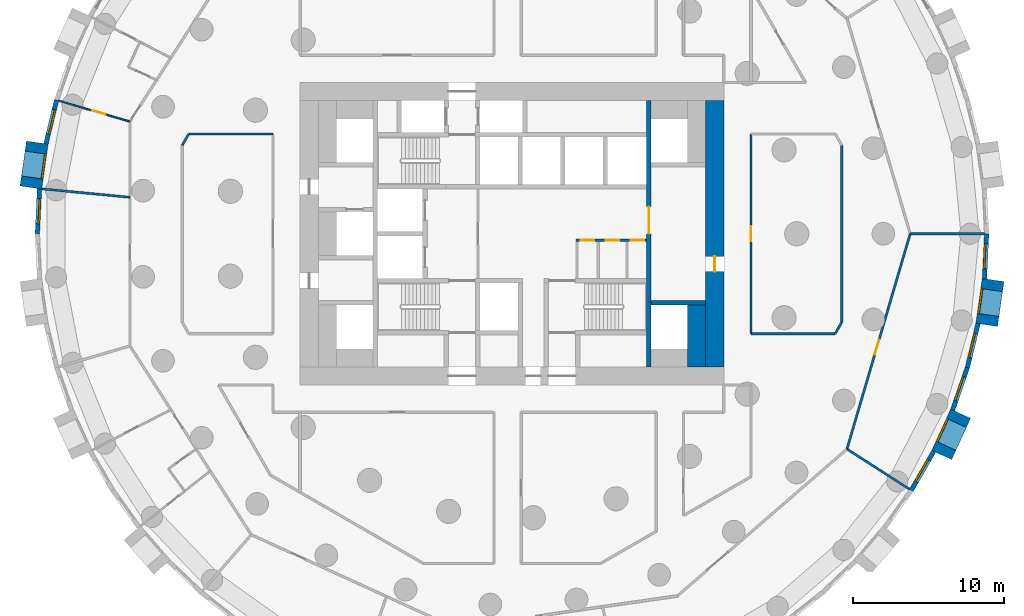
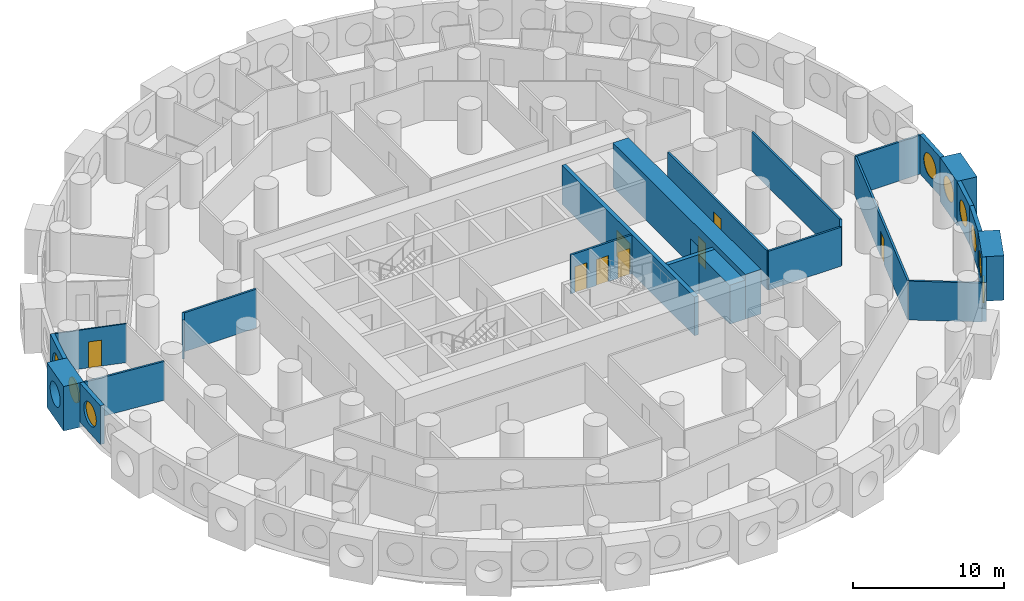
# One storey, part 6 of 12: 25 walls, 9 windows, 8 doors, 17 openings.
"""IFC4 building model written with IfcOpenShell, lengths in metres."""

from ifc_helpers import new_model, si_unit, direction, frame, frame_2d, origin, origin_2d, place, context, subcontext, project, spatial, rectangle, circle, extrude, material, layer, layer_set, type_object, element, fill, save


model = new_model("IFC4")

# Units and contexts
model_context = context("Model", 3, precision=1e-05, world=origin(), true_north=direction((0.0, 1.0)))
body_context = subcontext(model_context, "Body", "Model", "MODEL_VIEW")
ifc_project = project(units=[si_unit("LENGTHUNIT", "METRE"), si_unit("AREAUNIT", "SQUARE_METRE"), si_unit("VOLUMEUNIT", "CUBIC_METRE"), si_unit("PLANEANGLEUNIT", "RADIAN"), si_unit("MASSUNIT", "GRAM", prefix="KILO")], contexts=[model_context])

# Site, building, storey
site_placement = place(None, origin())
site = spatial("IfcSite", under=ifc_project, at=site_placement, CompositionType="ELEMENT")
building_placement = place(site_placement, origin())
building = spatial("IfcBuilding", under=site, at=building_placement, Name="Tracery Tower", CompositionType="ELEMENT")
storey_placement = place(building_placement, frame((0.0, 0.0, 49.800048828125)))
storey = spatial("IfcBuildingStorey", under=building, at=storey_placement, Name="L11", CompositionType="ELEMENT", Elevation=49.800048828125)

# Wall, openings, doors
ifc_material_1 = material(Name="Plasterboard on steel studs", Category="steel")
ifc_layer_1 = layer(ifc_material_1, 0.14990234375)
ifc_layer_set_1 = layer_set([ifc_layer_1], Name="Core room partition 150")
wall_type_1 = type_object("IfcWallType", Name="Core room partition 150", PredefinedType="SOLIDWALL", material=ifc_layer_set_1)
wall_1_placement = place(storey_placement, frame((4.22509765625, -0.425048828125, 0.0), z_axis=(0.0, 0.0, 1.0), x_axis=(1.0, 0.0, 0.0)))
wall_1 = element("IfcWall", 1, at=wall_1_placement, inside=storey, type_object=wall_type_1, Name="L11 slot N", PredefinedType="SOLIDWALL", context=body_context, shape_type="SweptSolid", body=[
    extrude(rectangle(XDim=4.6748046875, YDim=0.14990234375, at=frame_2d((2.33740234375, 0.0))), origin(), (0.0, 0.0, 1.0), 3.14990234375),
])
opening_1_placement = place(wall_1_placement, frame((0.324951171875, 0.0, 0.0)))
opening_1 = element("IfcOpeningElement", 2, at=opening_1_placement, cuts=wall_1, Name="Opening KD27", PredefinedType="OPENING", context=body_context, shape_type="SweptSolid", body=[
    extrude(rectangle(XDim=0.89990234375, YDim=2.10009765625, at=frame_2d((0.449951171875, 1.050048828125))), frame((0.0, 0.074951171875, 0.0), z_axis=(0.0, -1.0, 0.0), x_axis=(1.0, 0.0, 0.0)), (0.0, 0.0, 1.0), 0.14990234375),
])
opening_2_placement = place(wall_1_placement, frame((1.97509765625, 0.0, 0.0)))
opening_2 = element("IfcOpeningElement", 3, at=opening_2_placement, cuts=wall_1, Name="Opening KD21", PredefinedType="OPENING", context=body_context, shape_type="SweptSolid", body=[
    extrude(rectangle(XDim=0.89990234375, YDim=2.10009765625, at=frame_2d((0.449951171875, 1.050048828125))), frame((0.0, 0.074951171875, 0.0), z_axis=(0.0, -1.0, 0.0), x_axis=(1.0, 0.0, 0.0)), (0.0, 0.0, 1.0), 0.14990234375),
])
opening_3_placement = place(wall_1_placement, frame((3.612548828125, 0.0, 0.0)))
opening_3 = element("IfcOpeningElement", 4, at=opening_3_placement, cuts=wall_1, Name="Opening KD27", PredefinedType="OPENING", context=body_context, shape_type="SweptSolid", body=[
    extrude(rectangle(XDim=0.89990234375, YDim=2.10009765625, at=frame_2d((0.449951171875, 1.050048828125))), frame((0.0, 0.074951171875, 0.0), z_axis=(0.0, -1.0, 0.0), x_axis=(1.0, 0.0, 0.0)), (0.0, 0.0, 1.0), 0.14990234375),
])
ifc_material_2 = material(Name="Timber door leaf", Category="wood")
door_type_1 = type_object("IfcDoorType", Name="Core WC door 900", OperationType="NOTDEFINED", PredefinedType="DOOR", material=ifc_material_2)
door_1_placement = place(opening_2_placement, origin())
door_1 = element("IfcDoor", 5, at=door_1_placement, inside=storey, type_object=door_type_1, Name="Core door", OperationType="SINGLE_SWING_LEFT", OverallHeight=2.10009765625, OverallWidth=0.89990234375, PredefinedType="DOOR", context=body_context, shape_type="SweptSolid", body=[
    extrude(rectangle(XDim=0.89990234375, YDim=2.10009765625, at=frame_2d((0.449951171875, 1.050048828125))), frame((0.0, 0.02490234375, 0.0), z_axis=(0.0, -1.0, 0.0), x_axis=(1.0, 0.0, 0.0)), (0.0, 0.0, 1.0), 0.050048828125),
])
fill(opening_2, door_1)
ifc_material_3 = material(Name="Timber door leaf", Category="wood")
door_type_2 = type_object("IfcDoorType", Name="Core store door 900", OperationType="NOTDEFINED", PredefinedType="DOOR", material=ifc_material_3)
door_2_placement = place(opening_1_placement, origin())
door_2 = element("IfcDoor", 6, at=door_2_placement, inside=storey, type_object=door_type_2, Name="Core door", OperationType="SINGLE_SWING_RIGHT", OverallHeight=2.10009765625, OverallWidth=0.89990234375, PredefinedType="DOOR", context=body_context, shape_type="SweptSolid", body=[
    extrude(rectangle(XDim=0.89990234375, YDim=2.10009765625, at=frame_2d((0.449951171875, 1.050048828125))), frame((0.0, 0.02490234375, 0.0), z_axis=(0.0, -1.0, 0.0), x_axis=(1.0, 0.0, 0.0)), (0.0, 0.0, 1.0), 0.050048828125),
])
fill(opening_1, door_2)
door_3_placement = place(opening_3_placement, origin())
door_3 = element("IfcDoor", 7, at=door_3_placement, inside=storey, type_object=door_type_2, Name="Core door", OperationType="SINGLE_SWING_RIGHT", OverallHeight=2.10009765625, OverallWidth=0.89990234375, PredefinedType="DOOR", context=body_context, shape_type="SweptSolid", body=[
    extrude(rectangle(XDim=0.89990234375, YDim=2.10009765625, at=frame_2d((0.449951171875, 1.050048828125))), frame((0.0, 0.02490234375, 0.0), z_axis=(0.0, -1.0, 0.0), x_axis=(1.0, 0.0, 0.0)), (0.0, 0.0, 1.0), 0.050048828125),
])
fill(opening_3, door_3)

# Wall
ifc_material_4 = material(Name="Concrete C60/75", Category="concrete")
ifc_layer_2 = layer(ifc_material_4, 1.199951171875)
ifc_layer_set_2 = layer_set([ifc_layer_2], Name="Core strip wall 1200 C60")
wall_type_2 = type_object("IfcWallType", Name="Core strip wall 1200 C60", PredefinedType="SOLIDWALL", material=ifc_layer_set_2)
wall_2_placement = place(storey_placement, frame((12.199951171875, -8.800048828125, 0.0), z_axis=(0.0, 0.0, 1.0), x_axis=(0.0, 1.0, 0.0)))
element("IfcWall", 8, at=wall_2_placement, inside=storey, type_object=wall_type_2, Name="L11 wing strip +1 -9.4", PredefinedType="SOLIDWALL", context=body_context, shape_type="SweptSolid", body=[
    extrude(rectangle(XDim=4.10009765625, YDim=1.199951171875, at=frame_2d((2.050048828125, 0.0))), origin(), (0.0, 0.0, 1.0), 3.14990234375),
])

# Wall, opening, door
ifc_material_5 = material(Name="Concrete C60/75", Category="concrete")
ifc_layer_3 = layer(ifc_material_5, 1.199951171875)
ifc_layer_set_3 = layer_set([ifc_layer_3], Name="Core wall 1200 C60")
wall_type_3 = type_object("IfcWallType", Name="Core wall 1200 C60", PredefinedType="SOLIDWALL", material=ifc_layer_set_3)
wall_3_placement = place(storey_placement, frame((13.39990234375, -8.800048828125, 0.0), z_axis=(0.0, 0.0, 1.0), x_axis=(0.0, 1.0, 0.0)))
wall_3 = element("IfcWall", 9, at=wall_3_placement, inside=storey, type_object=wall_type_3, Name="L11 outer E", PredefinedType="SOLIDWALL", context=body_context, shape_type="SweptSolid", body=[
    extrude(rectangle(XDim=17.60009765625, YDim=1.199951171875, at=frame_2d((8.800048828125, 0.0))), origin(), (0.0, 0.0, 1.0), 3.599853515625),
])
opening_4_placement = place(wall_3_placement, frame((6.300048828125, 0.0, 0.0)))
opening_4 = element("IfcOpeningElement", 10, at=opening_4_placement, cuts=wall_3, Name="Opening KD18", PredefinedType="OPENING", context=body_context, shape_type="SweptSolid", body=[
    extrude(rectangle(XDim=1.0, YDim=2.10009765625, at=frame_2d((0.5, 1.050048828125))), frame((0.0, 0.60009765625, 0.0), z_axis=(0.0, -1.0, 0.0), x_axis=(1.0, 0.0, 0.0)), (0.0, 0.0, 1.0), 1.199951171875),
])
ifc_material_6 = material(Name="Steel fire door", Category="steel")
door_type_3 = type_object("IfcDoorType", Name="Core exit door 1000", OperationType="NOTDEFINED", PredefinedType="DOOR", material=ifc_material_6)
door_4_placement = place(opening_4_placement, origin())
door_4 = element("IfcDoor", 11, at=door_4_placement, inside=storey, type_object=door_type_3, Name="Core exit door", OperationType="DOUBLE_DOOR_SINGLE_SWING", OverallHeight=2.10009765625, OverallWidth=1.0, PredefinedType="DOOR", context=body_context, shape_type="SweptSolid", body=[
    extrude(rectangle(XDim=1.0, YDim=2.10009765625, at=frame_2d((0.5, 1.050048828125))), frame((0.0, 0.02490234375, 0.0), z_axis=(0.0, -1.0, 0.0), x_axis=(1.0, 0.0, 0.0)), (0.0, 0.0, 1.0), 0.050048828125),
])
fill(opening_4, door_4)

# Wall, opening, window
ifc_material_7 = material(Name="Precast concrete C50/60", Category="concrete")
ifc_layer_4 = layer(ifc_material_7, 1.449951171875)
ifc_layer_set_4 = layer_set([ifc_layer_4], Name="Deep-set bay unit 3000 x 3600, slab edge 450")
wall_type_4 = type_object("IfcWallType", Name="Deep-set bay unit 3000 x 3600, slab edge 450", PredefinedType="ELEMENTEDWALL", material=ifc_layer_set_4)
wall_4_placement = place(storey_placement, frame((-31.37548828125, 6.026611328125, -0.449951171875), z_axis=(0.0, 0.0, 1.0), x_axis=(-0.142332746704, -0.989818866872, 0.0)))
wall_4 = element("IfcWall", 12, at=wall_4_placement, inside=storey, type_object=wall_type_4, Name="Deep-set bay unit 32 at L11", PredefinedType="ELEMENTEDWALL", context=body_context, shape_type="SweptSolid", body=[
    extrude(rectangle(XDim=3.0, YDim=1.449951171875, at=frame_2d((1.5, 0.0))), origin(), (0.0, 0.0, 1.0), 3.599853515625),
])
opening_5_placement = place(wall_4_placement, frame((1.5, 0.0, 2.0)))
opening_5 = element("IfcOpeningElement", 13, at=opening_5_placement, cuts=wall_4, Name="Opening WN1", PredefinedType="OPENING", context=body_context, shape_type="SweptSolid", body=[
    extrude(circle(Radius=0.9000244140625, at=origin_2d()), frame((0.0, 0.73486328125, 0.0), z_axis=(0.0, -1.0, 0.0), x_axis=(1.0, 0.0, 0.0)), (0.0, 0.0, 1.0), 1.469970703125),
])
ifc_material_8 = material(Name="Aluminium frame with tinted double glazing", Category="aluminium")
window_type = type_object("IfcWindowType", Name="Round window 1800", PartitioningType="SINGLE_PANEL", PredefinedType="WINDOW", material=ifc_material_8)
window_1_placement = place(opening_5_placement, origin())
window_1 = element("IfcWindow", 14, at=window_1_placement, inside=storey, type_object=window_type, Name="Round window 32 at L11", OverallHeight=1.800048828125, OverallWidth=1.800048828125, PartitioningType="SINGLE_PANEL", PredefinedType="WINDOW", context=body_context, shape_type="SweptSolid", body=[
    extrude(circle(Radius=0.9000244140625, at=origin_2d()), frame((0.0, 0.69482421875, 0.0), z_axis=(0.0, -1.0, 0.0), x_axis=(1.0, 0.0, 0.0)), (0.0, 0.0, 1.0), 0.10009765625),
])
fill(opening_5, window_1)

wall_5_placement = place(storey_placement, frame((28.40673828125, -14.6220703125, -0.449951171875), z_axis=(0.0, 0.0, 1.0), x_axis=(0.415427028395, 0.909626508012, 0.0)))
wall_5 = element("IfcWall", 15, at=wall_5_placement, inside=storey, type_object=wall_type_4, Name="Deep-set bay unit 62 at L11", PredefinedType="ELEMENTEDWALL", context=body_context, shape_type="SweptSolid", body=[
    extrude(rectangle(XDim=3.000244140625, YDim=1.449951171875, at=frame_2d((1.5, 0.0))), origin(), (0.0, 0.0, 1.0), 3.599853515625),
])
opening_6_placement = place(wall_5_placement, frame((1.5, 0.0, 2.0)))
opening_6 = element("IfcOpeningElement", 16, at=opening_6_placement, cuts=wall_5, Name="Opening WN1", PredefinedType="OPENING", context=body_context, shape_type="SweptSolid", body=[
    extrude(circle(Radius=0.9000244140625, at=origin_2d()), frame((0.0, 0.73486328125, 0.0), z_axis=(0.0, -1.0, 0.0), x_axis=(1.0, 0.0, 0.0)), (0.0, 0.0, 1.0), 1.469970703125),
])
window_2_placement = place(opening_6_placement, origin())
window_2 = element("IfcWindow", 17, at=window_2_placement, inside=storey, type_object=window_type, Name="Round window 62 at L11", OverallHeight=1.800048828125, OverallWidth=1.800048828125, PartitioningType="SINGLE_PANEL", PredefinedType="WINDOW", context=body_context, shape_type="SweptSolid", body=[
    extrude(circle(Radius=0.9000244140625, at=origin_2d()), frame((0.0, 0.69482421875, 0.0), z_axis=(0.0, -1.0, 0.0), x_axis=(1.0, 0.0, 0.0)), (0.0, 0.0, 1.0), 0.10009765625),
])
fill(opening_6, window_2)

wall_6_placement = place(storey_placement, frame((31.37548828125, -6.026611328125, -0.449951171875), z_axis=(0.0, 0.0, 1.0), x_axis=(0.142332746704, 0.989818866872, 0.0)))
wall_6 = element("IfcWall", 18, at=wall_6_placement, inside=storey, type_object=wall_type_4, Name="Deep-set bay unit 65 at L11", PredefinedType="ELEMENTEDWALL", context=body_context, shape_type="SweptSolid", body=[
    extrude(rectangle(XDim=3.0, YDim=1.449951171875, at=frame_2d((1.5, 0.0))), origin(), (0.0, 0.0, 1.0), 3.599853515625),
])
opening_7_placement = place(wall_6_placement, frame((1.5, 0.0, 2.0)))
opening_7 = element("IfcOpeningElement", 19, at=opening_7_placement, cuts=wall_6, Name="Opening WN1", PredefinedType="OPENING", context=body_context, shape_type="SweptSolid", body=[
    extrude(circle(Radius=0.9000244140625, at=origin_2d()), frame((0.0, 0.73486328125, 0.0), z_axis=(0.0, -1.0, 0.0), x_axis=(1.0, 0.0, 0.0)), (0.0, 0.0, 1.0), 1.469970703125),
])
window_3_placement = place(opening_7_placement, origin())
window_3 = element("IfcWindow", 20, at=window_3_placement, inside=storey, type_object=window_type, Name="Round window 65 at L11", OverallHeight=1.800048828125, OverallWidth=1.800048828125, PartitioningType="SINGLE_PANEL", PredefinedType="WINDOW", context=body_context, shape_type="SweptSolid", body=[
    extrude(circle(Radius=0.9000244140625, at=origin_2d()), frame((0.0, 0.69482421875, 0.0), z_axis=(0.0, -1.0, 0.0), x_axis=(1.0, 0.0, 0.0)), (0.0, 0.0, 1.0), 0.10009765625),
])
fill(opening_7, window_3)

ifc_material_9 = material(Name="Precast concrete C50/60", Category="concrete")
ifc_layer_5 = layer(ifc_material_9, 0.300048828125)
ifc_layer_set_5 = layer_set([ifc_layer_5], Name="Facade panel 3000 x 3150")
wall_type_5 = type_object("IfcWallType", Name="Facade panel 3000 x 3150", PredefinedType="SOLIDWALL", material=ifc_layer_set_5)
wall_7_placement = place(storey_placement, frame((-30.103515625, 8.839111328125, 0.0), z_axis=(0.0, 0.0, 1.0), x_axis=(-0.235743081534, -0.971815414319, 0.0)))
wall_7 = element("IfcWall", 21, at=wall_7_placement, inside=storey, type_object=wall_type_5, Name="Facade panel 31 at L11", PredefinedType="SOLIDWALL", context=body_context, shape_type="SweptSolid", body=[
    extrude(rectangle(XDim=2.9794921875, YDim=0.300048828125, at=frame_2d((1.48974609375, 0.0))), origin(), (0.0, 0.0, 1.0), 3.14990234375),
])
opening_8_placement = place(wall_7_placement, frame((1.48974609375, 0.0, 1.5498046875)))
opening_8 = element("IfcOpeningElement", 22, at=opening_8_placement, cuts=wall_7, Name="Opening WN1", PredefinedType="OPENING", context=body_context, shape_type="SweptSolid", body=[
    extrude(circle(Radius=0.9000244140625, at=origin_2d()), frame((0.0, 0.159912109375, 0.0), z_axis=(0.0, -1.0, 0.0), x_axis=(1.0, 0.0, 0.0)), (0.0, 0.0, 1.0), 0.320068359375),
])
window_4_placement = place(opening_8_placement, origin())
window_4 = element("IfcWindow", 23, at=window_4_placement, inside=storey, type_object=window_type, Name="Round window 31 at L11", OverallHeight=1.800048828125, OverallWidth=1.800048828125, PartitioningType="SINGLE_PANEL", PredefinedType="WINDOW", context=body_context, shape_type="SweptSolid", body=[
    extrude(circle(Radius=0.9000244140625, at=origin_2d()), frame((0.0, 0.1201171875, 0.0), z_axis=(0.0, -1.0, 0.0), x_axis=(1.0, 0.0, 0.0)), (0.0, 0.0, 1.0), 0.10009765625),
])
fill(opening_8, window_4)

wall_8_placement = place(storey_placement, frame((-31.232666015625, 2.976318359375, 0.0), z_axis=(0.0, 0.0, 1.0), x_axis=(-0.047604077644, -0.998866283239, 0.0)))
wall_8 = element("IfcWall", 24, at=wall_8_placement, inside=storey, type_object=wall_type_5, Name="Facade panel 33 at L11", PredefinedType="SOLIDWALL", context=body_context, shape_type="SweptSolid", body=[
    extrude(rectangle(XDim=2.979736328125, YDim=0.300048828125, at=frame_2d((1.48974609375, 0.0))), origin(), (0.0, 0.0, 1.0), 3.14990234375),
])
opening_9_placement = place(wall_8_placement, frame((1.48974609375, 0.0, 1.5498046875)))
opening_9 = element("IfcOpeningElement", 25, at=opening_9_placement, cuts=wall_8, Name="Opening WN1", PredefinedType="OPENING", context=body_context, shape_type="SweptSolid", body=[
    extrude(circle(Radius=0.9000244140625, at=origin_2d()), frame((0.0, 0.159912109375, 0.0), z_axis=(0.0, -1.0, 0.0), x_axis=(1.0, 0.0, 0.0)), (0.0, 0.0, 1.0), 0.320068359375),
])
window_5_placement = place(opening_9_placement, origin())
window_5 = element("IfcWindow", 26, at=window_5_placement, inside=storey, type_object=window_type, Name="Round window 33 at L11", OverallHeight=1.800048828125, OverallWidth=1.800048828125, PartitioningType="SINGLE_PANEL", PredefinedType="WINDOW", context=body_context, shape_type="SweptSolid", body=[
    extrude(circle(Radius=0.9000244140625, at=origin_2d()), frame((0.0, 0.1201171875, 0.0), z_axis=(0.0, -1.0, 0.0), x_axis=(1.0, 0.0, 0.0)), (0.0, 0.0, 1.0), 0.10009765625),
])
fill(opening_9, window_5)

wall_9_placement = place(storey_placement, frame((26.393798828125, -16.96240234375, 0.0), z_axis=(0.0, 0.0, 1.0), x_axis=(0.500025049464, 0.866010940986, 0.0)))
wall_9 = element("IfcWall", 27, at=wall_9_placement, inside=storey, type_object=wall_type_5, Name="Facade panel 61 at L11", PredefinedType="SOLIDWALL", context=body_context, shape_type="SweptSolid", body=[
    extrude(rectangle(XDim=2.979736328125, YDim=0.300048828125, at=frame_2d((1.48974609375, 0.0))), origin(), (0.0, 0.0, 1.0), 3.14990234375),
])
opening_10_placement = place(wall_9_placement, frame((1.48974609375, 0.0, 1.5498046875)))
opening_10 = element("IfcOpeningElement", 28, at=opening_10_placement, cuts=wall_9, Name="Opening WN1", PredefinedType="OPENING", context=body_context, shape_type="SweptSolid", body=[
    extrude(circle(Radius=0.9000244140625, at=origin_2d()), frame((0.0, 0.159912109375, 0.0), z_axis=(0.0, -1.0, 0.0), x_axis=(1.0, 0.0, 0.0)), (0.0, 0.0, 1.0), 0.320068359375),
])
window_6_placement = place(opening_10_placement, origin())
window_6 = element("IfcWindow", 29, at=window_6_placement, inside=storey, type_object=window_type, Name="Round window 61 at L11", OverallHeight=1.800048828125, OverallWidth=1.800048828125, PartitioningType="SINGLE_PANEL", PredefinedType="WINDOW", context=body_context, shape_type="SweptSolid", body=[
    extrude(circle(Radius=0.9000244140625, at=origin_2d()), frame((0.0, 0.1201171875, 0.0), z_axis=(0.0, -1.0, 0.0), x_axis=(1.0, 0.0, 0.0)), (0.0, 0.0, 1.0), 0.10009765625),
])
fill(opening_10, window_6)

wall_10_placement = place(storey_placement, frame((29.12890625, -11.655029296875, 0.0), z_axis=(0.0, 0.0, 1.0), x_axis=(0.327071167136, 0.944999709856, 0.0)))
wall_10 = element("IfcWall", 30, at=wall_10_placement, inside=storey, type_object=wall_type_5, Name="Facade panel 63 at L11", PredefinedType="SOLIDWALL", context=body_context, shape_type="SweptSolid", body=[
    extrude(rectangle(XDim=2.979736328125, YDim=0.300048828125, at=frame_2d((1.48974609375, 0.0))), origin(), (0.0, 0.0, 1.0), 3.14990234375),
])
opening_11_placement = place(wall_10_placement, frame((1.48974609375, 0.0, 1.5498046875)))
opening_11 = element("IfcOpeningElement", 31, at=opening_11_placement, cuts=wall_10, Name="Opening WN1", PredefinedType="OPENING", context=body_context, shape_type="SweptSolid", body=[
    extrude(circle(Radius=0.9000244140625, at=origin_2d()), frame((0.0, 0.159912109375, 0.0), z_axis=(0.0, -1.0, 0.0), x_axis=(1.0, 0.0, 0.0)), (0.0, 0.0, 1.0), 0.320068359375),
])
window_7_placement = place(opening_11_placement, origin())
window_7 = element("IfcWindow", 32, at=window_7_placement, inside=storey, type_object=window_type, Name="Round window 63 at L11", OverallHeight=1.800048828125, OverallWidth=1.800048828125, PartitioningType="SINGLE_PANEL", PredefinedType="WINDOW", context=body_context, shape_type="SweptSolid", body=[
    extrude(circle(Radius=0.9000244140625, at=origin_2d()), frame((0.0, 0.1201171875, 0.0), z_axis=(0.0, -1.0, 0.0), x_axis=(1.0, 0.0, 0.0)), (0.0, 0.0, 1.0), 0.10009765625),
])
fill(opening_11, window_7)

wall_11_placement = place(storey_placement, frame((30.103515625, -8.839111328125, 0.0), z_axis=(0.0, 0.0, 1.0), x_axis=(0.235743081534, 0.971815414319, 0.0)))
wall_11 = element("IfcWall", 33, at=wall_11_placement, inside=storey, type_object=wall_type_5, Name="Facade panel 64 at L11", PredefinedType="SOLIDWALL", context=body_context, shape_type="SweptSolid", body=[
    extrude(rectangle(XDim=2.9794921875, YDim=0.300048828125, at=frame_2d((1.48974609375, 0.0))), origin(), (0.0, 0.0, 1.0), 3.14990234375),
])
opening_12_placement = place(wall_11_placement, frame((1.48974609375, 0.0, 1.5498046875)))
opening_12 = element("IfcOpeningElement", 34, at=opening_12_placement, cuts=wall_11, Name="Opening WN1", PredefinedType="OPENING", context=body_context, shape_type="SweptSolid", body=[
    extrude(circle(Radius=0.9000244140625, at=origin_2d()), frame((0.0, 0.159912109375, 0.0), z_axis=(0.0, -1.0, 0.0), x_axis=(1.0, 0.0, 0.0)), (0.0, 0.0, 1.0), 0.320068359375),
])
window_8_placement = place(opening_12_placement, origin())
window_8 = element("IfcWindow", 35, at=window_8_placement, inside=storey, type_object=window_type, Name="Round window 64 at L11", OverallHeight=1.800048828125, OverallWidth=1.800048828125, PartitioningType="SINGLE_PANEL", PredefinedType="WINDOW", context=body_context, shape_type="SweptSolid", body=[
    extrude(circle(Radius=0.9000244140625, at=origin_2d()), frame((0.0, 0.1201171875, 0.0), z_axis=(0.0, -1.0, 0.0), x_axis=(1.0, 0.0, 0.0)), (0.0, 0.0, 1.0), 0.10009765625),
])
fill(opening_12, window_8)

wall_12_placement = place(storey_placement, frame((31.232666015625, -2.976318359375, 0.0), z_axis=(0.0, 0.0, 1.0), x_axis=(0.047604077644, 0.998866283239, 0.0)))
wall_12 = element("IfcWall", 36, at=wall_12_placement, inside=storey, type_object=wall_type_5, Name="Facade panel 66 at L11", PredefinedType="SOLIDWALL", context=body_context, shape_type="SweptSolid", body=[
    extrude(rectangle(XDim=2.979736328125, YDim=0.300048828125, at=frame_2d((1.48974609375, 0.0))), origin(), (0.0, 0.0, 1.0), 3.14990234375),
])
opening_13_placement = place(wall_12_placement, frame((1.48974609375, 0.0, 1.5498046875)))
opening_13 = element("IfcOpeningElement", 37, at=opening_13_placement, cuts=wall_12, Name="Opening WN1", PredefinedType="OPENING", context=body_context, shape_type="SweptSolid", body=[
    extrude(circle(Radius=0.9000244140625, at=origin_2d()), frame((0.0, 0.159912109375, 0.0), z_axis=(0.0, -1.0, 0.0), x_axis=(1.0, 0.0, 0.0)), (0.0, 0.0, 1.0), 0.320068359375),
])
window_9_placement = place(opening_13_placement, origin())
window_9 = element("IfcWindow", 38, at=window_9_placement, inside=storey, type_object=window_type, Name="Round window 66 at L11", OverallHeight=1.800048828125, OverallWidth=1.800048828125, PartitioningType="SINGLE_PANEL", PredefinedType="WINDOW", context=body_context, shape_type="SweptSolid", body=[
    extrude(circle(Radius=0.9000244140625, at=origin_2d()), frame((0.0, 0.1201171875, 0.0), z_axis=(0.0, -1.0, 0.0), x_axis=(1.0, 0.0, 0.0)), (0.0, 0.0, 1.0), 0.10009765625),
])
fill(opening_13, window_9)

# Wall, opening, door
ifc_material_10 = material(Name="Plasterboard on steel studs", Category="steel")
ifc_layer_6 = layer(ifc_material_10, 0.10009765625)
ifc_layer_set_6 = layer_set([ifc_layer_6], Name="Partition 100 stud")
wall_type_6 = type_object("IfcWallType", Name="Partition 100 stud", PredefinedType="PARTITIONING", material=ifc_layer_set_6)
wall_13_placement = place(storey_placement, frame((-29.958984375, 8.797119140625, 0.0), z_axis=(0.0, 0.0, 1.0), x_axis=(0.959478767209, -0.281780934902, 0.0)))
wall_13 = element("IfcWall", 39, at=wall_13_placement, inside=storey, type_object=wall_type_6, Name="Stud partition RA3-088", PredefinedType="PARTITIONING", context=body_context, shape_type="SweptSolid", body=[
    extrude(rectangle(XDim=4.90478515625, YDim=0.10009765625, at=frame_2d((2.452392578125, 0.0))), origin(), (0.0, 0.0, 1.0), 3.14990234375),
])
opening_14_placement = place(wall_13_placement, frame((2.302734375, 0.0, 0.0)))
opening_14 = element("IfcOpeningElement", 40, at=opening_14_placement, cuts=wall_13, Name="Opening RA3-30", PredefinedType="OPENING", context=body_context, shape_type="SweptSolid", body=[
    extrude(rectangle(XDim=0.89990234375, YDim=2.10009765625, at=frame_2d((0.449951171875, 1.050048828125))), frame((0.0, 0.050048828125, 0.0), z_axis=(0.0, -1.0, 0.0), x_axis=(1.0, 0.0, 0.0)), (0.0, 0.0, 1.0), 0.10009765625),
])
ifc_material_11 = material(Name="Timber door leaf", Category="wood")
door_type_4 = type_object("IfcDoorType", Name="Door bedroom 900", OperationType="NOTDEFINED", PredefinedType="DOOR", material=ifc_material_11)
door_5_placement = place(opening_14_placement, origin())
door_5 = element("IfcDoor", 41, at=door_5_placement, inside=storey, type_object=door_type_4, Name="Bedroom door RA3-30", OperationType="SINGLE_SWING_LEFT", OverallHeight=2.10009765625, OverallWidth=0.89990234375, PredefinedType="DOOR", context=body_context, shape_type="SweptSolid", body=[
    extrude(rectangle(XDim=0.89990234375, YDim=2.10009765625, at=frame_2d((0.449951171875, 1.050048828125))), frame((0.0, 0.02490234375, 0.0), z_axis=(0.0, -1.0, 0.0), x_axis=(1.0, 0.0, 0.0)), (0.0, 0.0, 1.0), 0.050048828125),
])
fill(opening_14, door_5)

# Walls
ifc_material_12 = material(Name="Plasterboard on steel studs", Category="steel")
ifc_layer_7 = layer(ifc_material_12, 0.14990234375)
ifc_layer_set_7 = layer_set([ifc_layer_7], Name="Partition 150 acoustic unit wall")
wall_type_7 = type_object("IfcWallType", Name="Partition 150 acoustic unit wall", PredefinedType="PARTITIONING", material=ifc_layer_set_7)
wall_14_placement = place(storey_placement, frame((26.319091796875, 0.0, 0.0), z_axis=(0.0, 0.0, 1.0), x_axis=(1.0, 0.0, 0.0)))
element("IfcWall", 42, at=wall_14_placement, inside=storey, type_object=wall_type_7, Name="Unit wall RA3-061", PredefinedType="PARTITIONING", context=body_context, shape_type="SweptSolid", body=[
    extrude(rectangle(XDim=4.905029296875, YDim=0.14990234375, at=frame_2d((2.45263671875, 0.0))), origin(), (0.0, 0.0, 1.0), 3.14990234375),
])
wall_15_placement = place(storey_placement, frame((-31.0830078125, 2.968017578125, 0.0), z_axis=(0.0, 0.0, 1.0), x_axis=(0.995465070325, -0.095127775983, 0.0)))
element("IfcWall", 43, at=wall_15_placement, inside=storey, type_object=wall_type_7, Name="Unit wall RA3-092", PredefinedType="PARTITIONING", context=body_context, shape_type="SweptSolid", body=[
    extrude(rectangle(XDim=5.856689453125, YDim=0.14990234375, at=frame_2d((2.92822265625, 0.0))), origin(), (0.0, 0.0, 1.0), 3.14990234375),
])
wall_16_placement = place(storey_placement, frame((22.14111328125, -14.22900390625, 0.0), z_axis=(0.0, 0.0, 1.0), x_axis=(0.841265781699, -0.540621757371, 0.0)))
element("IfcWall", 44, at=wall_16_placement, inside=storey, type_object=wall_type_7, Name="Unit wall RA3-102", PredefinedType="PARTITIONING", context=body_context, shape_type="SweptSolid", body=[
    extrude(rectangle(XDim=4.90576171875, YDim=0.14990234375, at=frame_2d((2.452880859375, 0.0))), origin(), (0.0, 0.0, 1.0), 3.14990234375),
])

# Wall, opening, door
ifc_material_13 = material(Name="Plasterboard on steel studs", Category="steel")
ifc_layer_8 = layer(ifc_material_13, 0.14990234375)
ifc_layer_set_8 = layer_set([ifc_layer_8], Name="Partition 150 corridor wall")
wall_type_8 = type_object("IfcWallType", Name="Partition 150 corridor wall", PredefinedType="PARTITIONING", material=ifc_layer_set_8)
wall_17_placement = place(storey_placement, frame((15.800048828125, -6.60400390625, 0.0), z_axis=(0.0, 0.0, 1.0), x_axis=(0.0, 1.0, 0.0)))
wall_17 = element("IfcWall", 45, at=wall_17_placement, inside=storey, type_object=wall_type_8, Name="Corridor wall RA3-012", PredefinedType="PARTITIONING", context=body_context, shape_type="SweptSolid", body=[
    extrude(rectangle(XDim=13.2080078125, YDim=0.14990234375, at=frame_2d((6.60400390625, 0.0))), origin(), (0.0, 0.0, 1.0), 3.14990234375),
])
opening_15_placement = place(wall_17_placement, frame((6.10400390625, 0.0, 0.0)))
opening_15 = element("IfcOpeningElement", 46, at=opening_15_placement, cuts=wall_17, Name="Opening RA3-07", PredefinedType="OPENING", context=body_context, shape_type="SweptSolid", body=[
    extrude(rectangle(XDim=1.0, YDim=2.0400390625, at=frame_2d((0.5, 1.02001953125))), frame((0.0, 0.074951171875, 0.0), z_axis=(0.0, -1.0, 0.0), x_axis=(1.0, 0.0, 0.0)), (0.0, 0.0, 1.0), 0.14990234375),
])
ifc_material_14 = material(Name="Timber door leaf", Category="wood")
door_type_5 = type_object("IfcDoorType", Name="Door communal room 1000", OperationType="NOTDEFINED", PredefinedType="DOOR", material=ifc_material_14)
door_6_placement = place(opening_15_placement, origin())
door_6 = element("IfcDoor", 47, at=door_6_placement, inside=storey, type_object=door_type_5, Name="Communal room door RA3-07", OperationType="SINGLE_SWING_RIGHT", OverallHeight=2.0400390625, OverallWidth=1.0, PredefinedType="DOOR", context=body_context, shape_type="SweptSolid", body=[
    extrude(rectangle(XDim=1.0, YDim=2.0400390625, at=frame_2d((0.5, 1.02001953125))), frame((0.0, 0.02490234375, 0.0), z_axis=(0.0, -1.0, 0.0), x_axis=(1.0, 0.0, 0.0)), (0.0, 0.0, 1.0), 0.050048828125),
])
fill(opening_15, door_6)

# Walls
wall_18_placement = place(storey_placement, frame((15.800048828125, -6.60009765625, 0.0), z_axis=(0.0, 0.0, 1.0), x_axis=(1.0, 0.0, 0.0)))
element("IfcWall", 48, at=wall_18_placement, inside=storey, type_object=wall_type_8, Name="Corridor wall RA3-015", PredefinedType="PARTITIONING", context=body_context, shape_type="SweptSolid", body=[
    extrude(rectangle(XDim=5.56396484375, YDim=0.14990234375, at=frame_2d((2.781982421875, 0.0))), origin(), (0.0, 0.0, 1.0), 3.14990234375),
])
wall_19_placement = place(storey_placement, frame((21.364013671875, -6.60009765625, 0.0), z_axis=(0.0, 0.0, 1.0), x_axis=(0.500277597875, 0.865865073245, 0.0)))
element("IfcWall", 49, at=wall_19_placement, inside=storey, type_object=wall_type_8, Name="Corridor wall RA3-016", PredefinedType="PARTITIONING", context=body_context, shape_type="SweptSolid", body=[
    extrude(rectangle(XDim=0.87548828125, YDim=0.14990234375, at=frame_2d((0.437744140625, 0.0))), origin(), (0.0, 0.0, 1.0), 3.14990234375),
])
wall_20_placement = place(storey_placement, frame((21.802001953125, -5.842041015625, 0.0), z_axis=(0.0, 0.0, 1.0), x_axis=(0.0, 1.0, 0.0)))
element("IfcWall", 50, at=wall_20_placement, inside=storey, type_object=wall_type_8, Name="Corridor wall RA3-017", PredefinedType="PARTITIONING", context=body_context, shape_type="SweptSolid", body=[
    extrude(rectangle(XDim=11.68408203125, YDim=0.14990234375, at=frame_2d((5.842041015625, 0.0))), origin(), (0.0, 0.0, 1.0), 3.14990234375),
])

# Wall, opening, door
wall_21_placement = place(storey_placement, frame((22.14111328125, -14.22900390625, 0.0), z_axis=(0.0, 0.0, 1.0), x_axis=(0.281730446162, 0.959493593363, 0.0)))
wall_21 = element("IfcWall", 51, at=wall_21_placement, inside=storey, type_object=wall_type_8, Name="Corridor wall RA3-024", PredefinedType="PARTITIONING", context=body_context, shape_type="SweptSolid", body=[
    extrude(rectangle(XDim=14.82958984375, YDim=0.14990234375, at=frame_2d((7.414794921875, 0.0))), origin(), (0.0, 0.0, 1.0), 3.14990234375),
])
opening_16_placement = place(wall_21_placement, frame((6.5146484375, 0.0, 0.0)))
opening_16 = element("IfcOpeningElement", 52, at=opening_16_placement, cuts=wall_21, Name="Opening RA3-41", PredefinedType="OPENING", context=body_context, shape_type="SweptSolid", body=[
    extrude(rectangle(XDim=1.0, YDim=2.0400390625, at=frame_2d((0.5, 1.02001953125))), frame((0.0, 0.074951171875, 0.0), z_axis=(0.0, -1.0, 0.0), x_axis=(1.0, 0.0, 0.0)), (0.0, 0.0, 1.0), 0.14990234375),
])
door_7_placement = place(opening_16_placement, origin())
door_7 = element("IfcDoor", 53, at=door_7_placement, inside=storey, type_object=door_type_5, Name="Communal room door RA3-41", OperationType="SINGLE_SWING_RIGHT", OverallHeight=2.0400390625, OverallWidth=1.0, PredefinedType="DOOR", context=body_context, shape_type="SweptSolid", body=[
    extrude(rectangle(XDim=1.0, YDim=2.0400390625, at=frame_2d((0.5, 1.02001953125))), frame((0.0, 0.02490234375, 0.0), z_axis=(0.0, -1.0, 0.0), x_axis=(1.0, 0.0, 0.0)), (0.0, 0.0, 1.0), 0.050048828125),
])
fill(opening_16, door_7)

# Walls
wall_22_placement = place(storey_placement, frame((-21.364013671875, 6.60009765625, 0.0), z_axis=(0.0, 0.0, 1.0), x_axis=(1.0, 0.0, 0.0)))
element("IfcWall", 54, at=wall_22_placement, inside=storey, type_object=wall_type_8, Name="Corridor wall RA3-038", PredefinedType="PARTITIONING", context=body_context, shape_type="SweptSolid", body=[
    extrude(rectangle(XDim=5.56396484375, YDim=0.14990234375, at=frame_2d((2.781982421875, 0.0))), origin(), (0.0, 0.0, 1.0), 3.14990234375),
])
wall_23_placement = place(storey_placement, frame((-21.802001953125, 5.842041015625, 0.0), z_axis=(0.0, 0.0, 1.0), x_axis=(0.500277597875, 0.865865073245, 0.0)))
element("IfcWall", 55, at=wall_23_placement, inside=storey, type_object=wall_type_8, Name="Corridor wall RA3-039", PredefinedType="PARTITIONING", context=body_context, shape_type="SweptSolid", body=[
    extrude(rectangle(XDim=0.87548828125, YDim=0.14990234375, at=frame_2d((0.437744140625, 0.0))), origin(), (0.0, 0.0, 1.0), 3.14990234375),
])
ifc_material_15 = material(Name="Concrete C60/75", Category="concrete")
ifc_layer_9 = layer(ifc_material_15, 0.300048828125)
ifc_layer_set_9 = layer_set([ifc_layer_9], Name="Shaft wall 300 C60")
wall_type_9 = type_object("IfcWallType", Name="Shaft wall 300 C60", PredefinedType="SOLIDWALL", material=ifc_layer_set_9)
wall_24_placement = place(storey_placement, frame((9.199951171875, -4.550048828125, 0.0), z_axis=(0.0, 0.0, 1.0), x_axis=(1.0, 0.0, 0.0)))
element("IfcWall", 56, at=wall_24_placement, inside=storey, type_object=wall_type_9, Name="L11 wing shaft wall +1 -4.55", PredefinedType="SOLIDWALL", context=body_context, shape_type="SweptSolid", body=[
    extrude(rectangle(XDim=3.60009765625, YDim=0.300048828125, at=frame_2d((1.800048828125, 0.0))), origin(), (0.0, 0.0, 1.0), 3.14990234375),
])

# Wall, opening, door
ifc_material_16 = material(Name="Concrete C60/75", Category="concrete")
ifc_layer_10 = layer(ifc_material_16, 0.300048828125)
ifc_layer_set_10 = layer_set([ifc_layer_10], Name="Stair wall 300 C60")
wall_type_10 = type_object("IfcWallType", Name="Stair wall 300 C60", PredefinedType="SOLIDWALL", material=ifc_layer_set_10)
wall_25_placement = place(storey_placement, frame((9.050048828125, -8.800048828125, 0.0), z_axis=(0.0, 0.0, 1.0), x_axis=(0.0, 1.0, 0.0)))
wall_25 = element("IfcWall", 57, at=wall_25_placement, inside=storey, type_object=wall_type_10, Name="L11 F wall +9", PredefinedType="SOLIDWALL", context=body_context, shape_type="SweptSolid", body=[
    extrude(rectangle(XDim=17.60009765625, YDim=0.300048828125, at=frame_2d((8.800048828125, 0.0))), origin(), (0.0, 0.0, 1.0), 3.14990234375),
])
opening_17_placement = place(wall_25_placement, frame((8.800048828125, 0.0, 0.0)))
opening_17 = element("IfcOpeningElement", 58, at=opening_17_placement, cuts=wall_25, Name="Opening KD13", PredefinedType="OPENING", context=body_context, shape_type="SweptSolid", body=[
    extrude(rectangle(XDim=1.800048828125, YDim=2.10009765625, at=frame_2d((0.89990234375, 1.050048828125))), frame((0.0, 0.14990234375, 0.0), z_axis=(0.0, -1.0, 0.0), x_axis=(1.0, 0.0, 0.0)), (0.0, 0.0, 1.0), 0.300048828125),
])
ifc_material_17 = material(Name="Steel fire door", Category="steel")
door_type_6 = type_object("IfcDoorType", Name="Core exit door 1800 double", OperationType="NOTDEFINED", PredefinedType="DOOR", material=ifc_material_17)
door_8_placement = place(opening_17_placement, origin())
door_8 = element("IfcDoor", 59, at=door_8_placement, inside=storey, type_object=door_type_6, Name="Core exit door", OperationType="DOUBLE_DOOR_SINGLE_SWING", OverallHeight=2.10009765625, OverallWidth=1.800048828125, PredefinedType="DOOR", context=body_context, shape_type="SweptSolid", body=[
    extrude(rectangle(XDim=1.800048828125, YDim=2.10009765625, at=frame_2d((0.89990234375, 1.050048828125))), frame((0.0, 0.02490234375, 0.0), z_axis=(0.0, -1.0, 0.0), x_axis=(1.0, 0.0, 0.0)), (0.0, 0.0, 1.0), 0.050048828125),
])
fill(opening_17, door_8)

save(model, "model.ifc")
